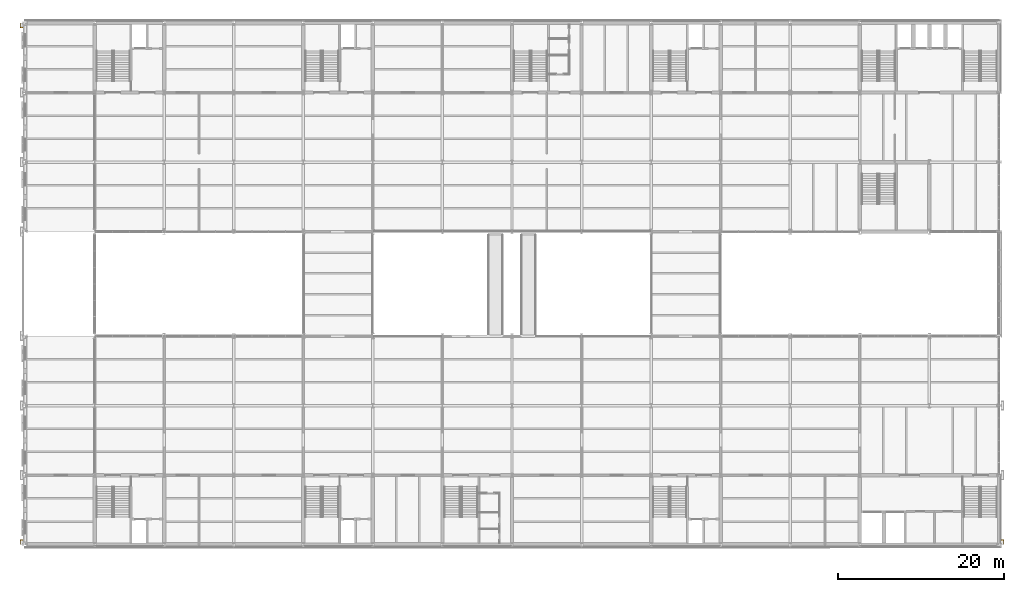
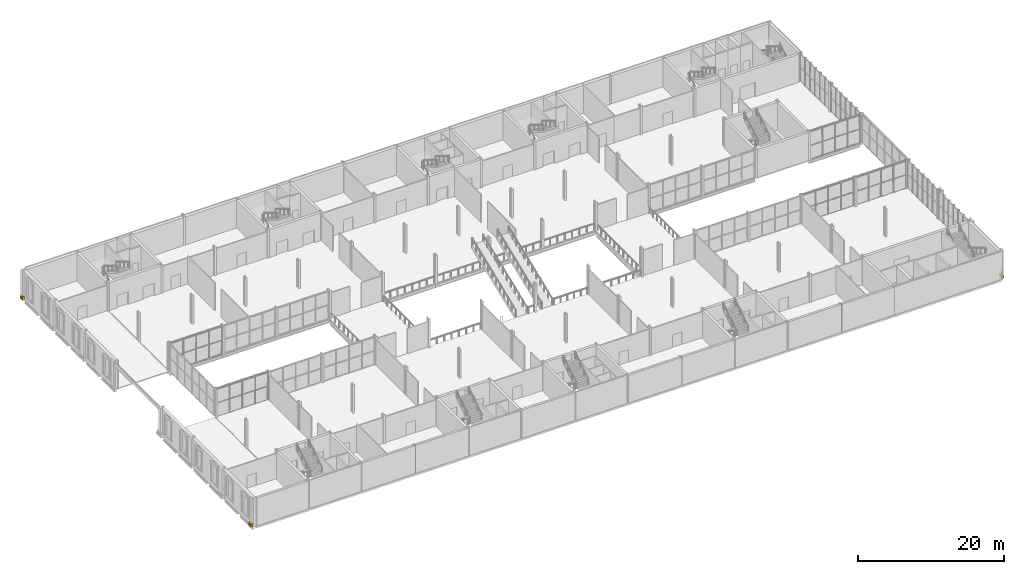
# One storey, part 60 of 61: 3 coverings.
"""IFC4 building model written with IfcOpenShell, lengths in metres."""

from ifc_helpers import new_model, si_unit, direction, frame, origin, place, context, subcontext, project, spatial, polyline, outline, extrude, material, layer, layer_set, type_object, element, save


model = new_model("IFC4")

# Units and contexts
model_context = context("Model", 3, precision=1e-05, world=origin(), true_north=direction((0.0, 1.0)))
body_context = subcontext(model_context, "Body", "Model", "MODEL_VIEW")
ifc_project = project(units=[si_unit("LENGTHUNIT", "METRE"), si_unit("AREAUNIT", "SQUARE_METRE"), si_unit("VOLUMEUNIT", "CUBIC_METRE"), si_unit("PLANEANGLEUNIT", "RADIAN"), si_unit("MASSUNIT", "GRAM", prefix="KILO")], contexts=[model_context])

# Site, building, storey
site_placement = place(None, origin())
site = spatial("IfcSite", under=ifc_project, at=site_placement, CompositionType="ELEMENT")
building_placement = place(site_placement, origin())
building = spatial("IfcBuilding", under=site, at=building_placement, Name="Galleria Vessillo Department Store", CompositionType="ELEMENT")
storey_placement = place(building_placement, frame((0.0, 0.0, 11.39990234375)))
storey = spatial("IfcBuildingStorey", under=building, at=storey_placement, Name="L02", CompositionType="ELEMENT", Elevation=11.39990234375)

# Coverings
ifc_material = material(Name="Botticino limestone ashlar", Category="masonry")
ifc_layer = layer(ifc_material, 0.360107421875)
ifc_layer_set = layer_set([ifc_layer], Name="Botticino limestone ashlar")
covering_type = type_object("IfcCoveringType", Name="Limestone pilaster base 1200 x 360 x 600", PredefinedType="CLADDING", material=ifc_layer_set)
for number, where, z_axis, x_axis, name in (
    (1, (0.0, 0.0, 0.0), (0.0, 1.0, 0.0), (-1.0, 0.0, 0.0), "Pilaster base W y=0.0"),
    (2, (0.0, 62.39990234375, 0.0), (0.0, 1.0, 0.0), (-1.0, 0.0, 0.0), "Pilaster base W y=63.0"),
    (3, (117.60009765625, 0.60009765625, 0.0), (0.0, -1.0, 0.0), (1.0, 0.0, 0.0), "Pilaster base E y=0.0"),
):
    element("IfcCovering", number, at=place(storey_placement, frame(where, z_axis=z_axis, x_axis=x_axis)), inside=storey, type_object=covering_type, Name=name, PredefinedType="CLADDING", context=body_context, shape_type="SweptSolid", body=[
        extrude(outline(polyline([(0.25, 0.0), (0.610107421875, 0.0), (0.610107421875, 0.280029296875), (0.56005859375, 0.340087890625), (0.56005859375, 0.52001953125), (0.530029296875, 0.60009765625), (0.25, 0.60009765625), (0.25, 0.0)])), origin(), (0.0, 0.0, 1.0), 0.60009765625),
    ])

save(model, "model.ifc")
